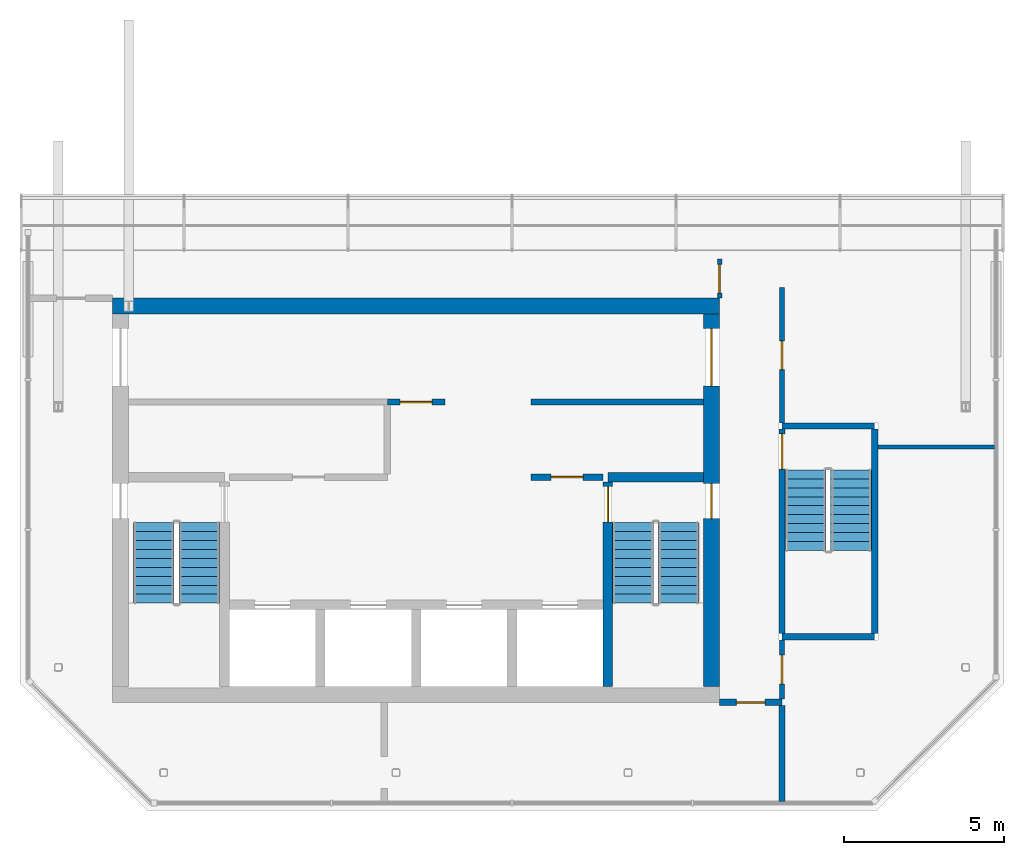
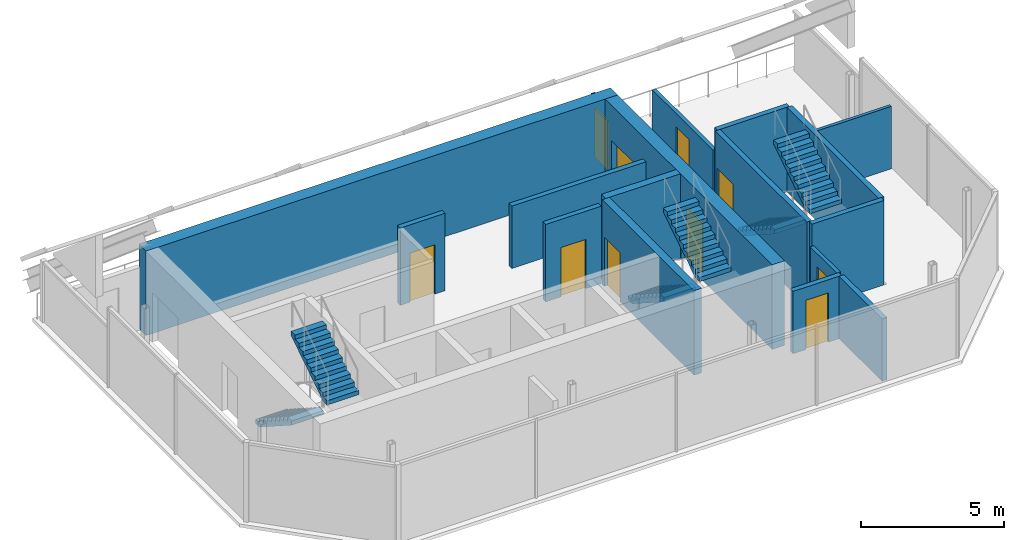
# One storey, part 3 of 4: 17 walls, 10 doors, 6 stair flights, 10 openings, 3 elements without a shape of their own.
"""IFC4 building model written with IfcOpenShell, lengths in metres."""

from ifc_helpers import new_model, si_unit, direction, frame, frame_2d, origin, place, context, subcontext, project, spatial, polyline, rectangle, outline, extrude, material, layer, layer_set, type_object, element, fill, aggregate, save


model = new_model("IFC4")

# Units and contexts
model_context = context("Model", 3, precision=1e-05, world=origin(), true_north=direction((0.0, 1.0)))
body_context = subcontext(model_context, "Body", "Model", "MODEL_VIEW")
ifc_project = project(units=[si_unit("LENGTHUNIT", "METRE"), si_unit("AREAUNIT", "SQUARE_METRE"), si_unit("VOLUMEUNIT", "CUBIC_METRE"), si_unit("PLANEANGLEUNIT", "RADIAN"), si_unit("MASSUNIT", "GRAM", prefix="KILO")], contexts=[model_context])

# Site, building, storey
site_placement = place(None, origin())
site = spatial("IfcSite", under=ifc_project, at=site_placement, CompositionType="ELEMENT")
building_placement = place(site_placement, origin())
building = spatial("IfcBuilding", under=site, at=building_placement, Name="Tskaro Facet Tower", CompositionType="ELEMENT")
storey_placement = place(building_placement, frame((0.0, 0.0, 308.10009765625)))
storey = spatial("IfcBuildingStorey", under=building, at=storey_placement, Name="L83", CompositionType="ELEMENT", Elevation=308.10009765625)

# Wall
ifc_material_1 = material(Name="Concrete C60/75", Category="concrete")
ifc_layer_1 = layer(ifc_material_1, 0.300048828125, Name="Concrete C60/75")
ifc_layer_set_1 = layer_set([ifc_layer_1], Name="Concrete C60/75")
wall_type_1 = type_object("IfcWallType", Name="CORE-SHAFT", PredefinedType="SHEAR", material=ifc_layer_set_1)
wall_1_placement = place(storey_placement, frame((6.0, -4.949951171875, 0.0), z_axis=(0.0, 0.0, 1.0), x_axis=(1.0, 0.0, 0.0)))
element("IfcWall", 1, at=wall_1_placement, inside=storey, type_object=wall_type_1, Name="Shaft wall W007", PredefinedType="SHEAR", context=body_context, shape_type="SweptSolid", body=[
    extrude(rectangle(XDim=3.0, YDim=0.300048828125, at=frame_2d((1.5, 0.0))), origin(), (0.0, 0.0, 1.0), 3.599853515625),
])

# Wall, opening, door
wall_2_placement = place(storey_placement, frame((6.0, -5.10009765625, 0.0), z_axis=(0.0, 0.0, 1.0), x_axis=(0.0, -1.0, 0.0)))
wall_2 = element("IfcWall", 2, at=wall_2_placement, inside=storey, type_object=wall_type_1, Name="Shaft wall W021", PredefinedType="SHEAR", context=body_context, shape_type="SweptSolid", body=[
    extrude(rectangle(XDim=6.39990234375, YDim=0.300048828125, at=frame_2d((3.199951171875, 0.0))), origin(), (0.0, 0.0, 1.0), 3.599853515625),
])
opening_1_placement = place(wall_2_placement, frame((0.14990234375, 0.0, 0.0)))
opening_1 = element("IfcOpeningElement", 3, at=opening_1_placement, cuts=wall_2, Name="Opening ST-2-D1", PredefinedType="OPENING", context=body_context, shape_type="SweptSolid", body=[
    extrude(rectangle(XDim=1.10009765625, YDim=2.10009765625, at=frame_2d((0.550048828125, 1.050048828125))), frame((0.0, 0.159912109375, 0.0), z_axis=(0.0, -1.0, 0.0), x_axis=(1.0, 0.0, 0.0)), (0.0, 0.0, 1.0), 0.320068359375),
])
ifc_material_2 = material(Name="Steel", Category="steel")
door_type_1 = type_object("IfcDoorType", Name="D-STAIR", OperationType="NOTDEFINED", PredefinedType="DOOR", material=ifc_material_2)
door_1_placement = place(opening_1_placement, origin())
door_1 = element("IfcDoor", 4, at=door_1_placement, inside=storey, type_object=door_type_1, Name="Stair door 2", OperationType="SINGLE_SWING_RIGHT", OverallHeight=2.10009765625, OverallWidth=1.10009765625, PredefinedType="DOOR", context=body_context, shape_type="SweptSolid", body=[
    extrude(rectangle(XDim=1.10009765625, YDim=2.10009765625, at=frame_2d((0.550048828125, 1.050048828125))), frame((0.0, 0.02490234375, 0.0), z_axis=(0.0, -1.0, 0.0), x_axis=(1.0, 0.0, 0.0)), (0.0, 0.0, 1.0), 0.050048828125),
])
fill(opening_1, door_1)

ifc_material_3 = material(Name="Concrete C20/25", Category="concrete")
ifc_layer_2 = layer(ifc_material_3, 0.199951171875, Name="Concrete C20/25")
ifc_layer_set_2 = layer_set([ifc_layer_2], Name="Concrete C20/25")
wall_type_2 = type_object("IfcWallType", Name="CORE-WALL", PredefinedType="SOLIDWALL", material=ifc_layer_set_2)
wall_3_placement = place(storey_placement, frame((3.60009765625, -4.949951171875, 0.0), z_axis=(0.0, 0.0, 1.0), x_axis=(1.0, 0.0, 0.0)))
wall_3 = element("IfcWall", 5, at=wall_3_placement, inside=storey, type_object=wall_type_2, Name="Core room wall W006", PredefinedType="SOLIDWALL", context=body_context, shape_type="SweptSolid", body=[
    extrude(rectangle(XDim=2.25, YDim=0.199951171875, at=frame_2d((1.125, 0.0))), origin(), (0.0, 0.0, 1.0), 3.2998046875),
])
opening_2_placement = place(wall_3_placement, frame((0.625, 0.0, 0.0)))
opening_2 = element("IfcOpeningElement", 6, at=opening_2_placement, cuts=wall_3, Name="Opening C83-D04", PredefinedType="OPENING", context=body_context, shape_type="SweptSolid", body=[
    extrude(rectangle(XDim=1.0, YDim=2.10009765625, at=frame_2d((0.5, 1.050048828125))), frame((0.0, 0.10986328125, 0.0), z_axis=(0.0, -1.0, 0.0), x_axis=(1.0, 0.0, 0.0)), (0.0, 0.0, 1.0), 0.219970703125),
])
ifc_material_4 = material(Name="Timber", Category="wood")
door_type_2 = type_object("IfcDoorType", Name="D-ROOM-WIDE", OperationType="NOTDEFINED", PredefinedType="DOOR", material=ifc_material_4)
door_2_placement = place(opening_2_placement, origin())
door_2 = element("IfcDoor", 7, at=door_2_placement, inside=storey, type_object=door_type_2, Name="Door C83-D04", OperationType="SINGLE_SWING_LEFT", OverallHeight=2.10009765625, OverallWidth=1.0, PredefinedType="DOOR", context=body_context, shape_type="SweptSolid", body=[
    extrude(rectangle(XDim=1.0, YDim=2.10009765625, at=frame_2d((0.5, 1.050048828125))), frame((0.0, 0.02490234375, 0.0), z_axis=(0.0, -1.0, 0.0), x_axis=(1.0, 0.0, 0.0)), (0.0, 0.0, 1.0), 0.050048828125),
])
fill(opening_2, door_2)

wall_4_placement = place(storey_placement, frame((0.89990234375, -2.60009765625, 0.0), z_axis=(0.0, 0.0, 1.0), x_axis=(-1.0, 0.0, 0.0)))
wall_4 = element("IfcWall", 8, at=wall_4_placement, inside=storey, type_object=wall_type_2, Name="Core room wall W011", PredefinedType="SOLIDWALL", context=body_context, shape_type="SweptSolid", body=[
    extrude(rectangle(XDim=1.7998046875, YDim=0.199951171875, at=frame_2d((0.89990234375, 0.0))), origin(), (0.0, 0.0, 1.0), 3.2998046875),
])
opening_3_placement = place(wall_4_placement, frame((0.39990234375, 0.0, 0.0)))
opening_3 = element("IfcOpeningElement", 9, at=opening_3_placement, cuts=wall_4, Name="Opening C83-D05", PredefinedType="OPENING", context=body_context, shape_type="SweptSolid", body=[
    extrude(rectangle(XDim=1.0, YDim=2.10009765625, at=frame_2d((0.5, 1.050048828125))), frame((0.0, 0.10986328125, 0.0), z_axis=(0.0, -1.0, 0.0), x_axis=(1.0, 0.0, 0.0)), (0.0, 0.0, 1.0), 0.219970703125),
])
door_type_3 = type_object("IfcDoorType", Name="D-LOBBY", OperationType="NOTDEFINED", PredefinedType="DOOR", material=ifc_material_2)
door_3_placement = place(opening_3_placement, origin())
door_3 = element("IfcDoor", 10, at=door_3_placement, inside=storey, type_object=door_type_3, Name="Door C83-D05", OperationType="SINGLE_SWING_RIGHT", OverallHeight=2.10009765625, OverallWidth=1.0, PredefinedType="DOOR", context=body_context, shape_type="SweptSolid", body=[
    extrude(rectangle(XDim=1.0, YDim=2.10009765625, at=frame_2d((0.5, 1.050048828125))), frame((0.0, 0.02490234375, 0.0), z_axis=(0.0, -1.0, 0.0), x_axis=(1.0, 0.0, 0.0)), (0.0, 0.0, 1.0), 0.050048828125),
])
fill(opening_3, door_3)

# Wall
ifc_material_5 = material(Name="Concrete C40/50", Category="concrete")
ifc_layer_3 = layer(ifc_material_5, 0.5, Name="Concrete C40/50")
ifc_layer_set_3 = layer_set([ifc_layer_3], Name="Concrete C40/50")
wall_type_3 = type_object("IfcWallType", Name="Core wall 500", PredefinedType="SHEAR", material=ifc_layer_set_3)
wall_5_placement = place(storey_placement, frame((-9.5, 0.39990234375, 0.0), z_axis=(0.0, 0.0, 1.0), x_axis=(1.0, 0.0, 0.0)))
element("IfcWall", 11, at=wall_5_placement, inside=storey, type_object=wall_type_3, Name="Core wall CW-Z3N", PredefinedType="SHEAR", context=body_context, shape_type="SweptSolid", body=[
    extrude(outline(polyline([(0.0, 0.0), (19.0, 0.0), (19.0, 3.599853515625), (0.0, 3.599853515625), (0.0, 0.0)])), frame((0.0, 0.25, 0.0), z_axis=(0.0, -1.0, 0.0), x_axis=(1.0, 0.0, 0.0)), (0.0, 0.0, 1.0), 0.5),
])

# Wall, openings, doors
wall_6_placement = place(storey_placement, frame((9.25, -11.5, 0.0), z_axis=(0.0, 0.0, 1.0), x_axis=(0.0, 1.0, 0.0)))
wall_6 = element("IfcWall", 12, at=wall_6_placement, inside=storey, type_object=wall_type_3, Name="Core wall CW-Z3E", PredefinedType="SHEAR", context=body_context, shape_type="SweptSolid", body=[
    extrude(outline(polyline([(0.0, 0.0), (11.64990234375, 0.0), (11.64990234375, 3.599853515625), (0.0, 3.599853515625), (0.0, 0.0)])), frame((0.0, 0.25, 0.0), z_axis=(0.0, -1.0, 0.0), x_axis=(1.0, 0.0, 0.0)), (0.0, 0.0, 1.0), 0.5),
])
opening_4_placement = place(wall_6_placement, frame((9.39990234375, 0.0, 0.0)))
opening_4 = element("IfcOpeningElement", 13, at=opening_4_placement, cuts=wall_6, Name="Opening C83-D07", PredefinedType="OPENING", context=body_context, shape_type="SweptSolid", body=[
    extrude(rectangle(XDim=1.800048828125, YDim=2.10009765625, at=frame_2d((0.89990234375, 1.050048828125))), frame((0.0, 0.260009765625, 0.0), z_axis=(0.0, -1.0, 0.0), x_axis=(1.0, 0.0, 0.0)), (0.0, 0.0, 1.0), 0.52001953125),
])
opening_5_placement = place(wall_6_placement, frame((5.25, 0.0, 0.0)))
opening_5 = element("IfcOpeningElement", 14, at=opening_5_placement, cuts=wall_6, Name="Opening ST-2-D3", PredefinedType="OPENING", context=body_context, shape_type="SweptSolid", body=[
    extrude(rectangle(XDim=1.10009765625, YDim=2.10009765625, at=frame_2d((0.550048828125, 1.050048828125))), frame((0.0, 0.260009765625, 0.0), z_axis=(0.0, -1.0, 0.0), x_axis=(1.0, 0.0, 0.0)), (0.0, 0.0, 1.0), 0.52001953125),
])
door_type_4 = type_object("IfcDoorType", Name="D-CORE-PAIR", OperationType="NOTDEFINED", PredefinedType="DOOR", material=ifc_material_2)
door_4_placement = place(opening_4_placement, origin())
door_4 = element("IfcDoor", 15, at=door_4_placement, inside=storey, type_object=door_type_4, Name="Door C83-D07", OperationType="DOUBLE_DOOR_SINGLE_SWING", OverallHeight=2.10009765625, OverallWidth=1.800048828125, PredefinedType="DOOR", context=body_context, shape_type="SweptSolid", body=[
    extrude(rectangle(XDim=1.800048828125, YDim=2.10009765625, at=frame_2d((0.89990234375, 1.050048828125))), frame((0.0, 0.02490234375, 0.0), z_axis=(0.0, -1.0, 0.0), x_axis=(1.0, 0.0, 0.0)), (0.0, 0.0, 1.0), 0.050048828125),
])
fill(opening_4, door_4)
door_5_placement = place(opening_5_placement, origin())
door_5 = element("IfcDoor", 16, at=door_5_placement, inside=storey, type_object=door_type_1, Name="Stair door 2 corridor", OperationType="SINGLE_SWING_LEFT", OverallHeight=2.10009765625, OverallWidth=1.10009765625, PredefinedType="DOOR", context=body_context, shape_type="SweptSolid", body=[
    extrude(rectangle(XDim=1.10009765625, YDim=2.10009765625, at=frame_2d((0.550048828125, 1.050048828125))), frame((0.0, 0.02490234375, 0.0), z_axis=(0.0, -1.0, 0.0), x_axis=(1.0, 0.0, 0.0)), (0.0, 0.0, 1.0), 0.050048828125),
])
fill(opening_5, door_5)

# Wall
ifc_material_6 = material(Name="Gypsum board on steel studs", Category="steel")
ifc_layer_4 = layer(ifc_material_6, 0.125, Name="Gypsum board on steel studs")
ifc_layer_set_4 = layer_set([ifc_layer_4], Name="Gypsum board on steel studs")
wall_type_4 = type_object("IfcWallType", Name="PART", PredefinedType="PARTITIONING", material=ifc_layer_set_4)
wall_7_placement = place(storey_placement, frame((14.449951171875, -4.0, 0.0), z_axis=(0.0, 0.0, 1.0), x_axis=(1.0, 0.0, 0.0)))
element("IfcWall", 17, at=wall_7_placement, inside=storey, type_object=wall_type_4, Name="Partition W008", PredefinedType="PARTITIONING", context=body_context, shape_type="SweptSolid", body=[
    extrude(rectangle(XDim=3.650146484375, YDim=0.125, at=frame_2d((1.8251953125, 0.0))), origin(), (0.0, 0.0, 1.0), 2.659912109375),
])

# Wall, opening, door
ifc_layer_5 = layer(ifc_material_6, 0.14990234375, Name="Gypsum board on steel studs")
ifc_layer_set_5 = layer_set([ifc_layer_5], Name="Gypsum board on steel studs")
wall_type_5 = type_object("IfcWallType", Name="PART-CORR", PredefinedType="PARTITIONING", material=ifc_layer_set_5)
wall_8_placement = place(storey_placement, frame((9.5, 0.64990234375, 0.0), z_axis=(0.0, 0.0, 1.0), x_axis=(0.0, 1.0, 0.0)))
wall_8 = element("IfcWall", 18, at=wall_8_placement, inside=storey, type_object=wall_type_5, Name="Corridor wall W022", PredefinedType="PARTITIONING", context=body_context, shape_type="SweptSolid", body=[
    extrude(rectangle(XDim=1.22021484375, YDim=0.14990234375, at=frame_2d((0.610107421875, 0.0))), origin(), (0.0, 0.0, 1.0), 2.659912109375),
])
opening_6_placement = place(wall_8_placement, frame((0.159912109375, 0.0, 0.0)))
opening_6 = element("IfcOpeningElement", 19, at=opening_6_placement, cuts=wall_8, Name="Opening C83-D10", PredefinedType="OPENING", context=body_context, shape_type="SweptSolid", body=[
    extrude(rectangle(XDim=0.89990234375, YDim=2.10009765625, at=frame_2d((0.449951171875, 1.050048828125))), frame((0.0, 0.0849609375, 0.0), z_axis=(0.0, -1.0, 0.0), x_axis=(1.0, 0.0, 0.0)), (0.0, 0.0, 1.0), 0.169921875),
])
door_type_5 = type_object("IfcDoorType", Name="D-RISER", OperationType="NOTDEFINED", PredefinedType="DOOR", material=ifc_material_2)
door_6_placement = place(opening_6_placement, origin())
door_6 = element("IfcDoor", 20, at=door_6_placement, inside=storey, type_object=door_type_5, Name="Door C83-D10", OperationType="SINGLE_SWING_LEFT", OverallHeight=2.10009765625, OverallWidth=0.89990234375, PredefinedType="DOOR", context=body_context, shape_type="SweptSolid", body=[
    extrude(rectangle(XDim=0.89990234375, YDim=2.10009765625, at=frame_2d((0.449951171875, 1.050048828125))), frame((0.0, 0.02490234375, 0.0), z_axis=(0.0, -1.0, 0.0), x_axis=(1.0, 0.0, 0.0)), (0.0, 0.0, 1.0), 0.050048828125),
])
fill(opening_6, door_6)

wall_9_placement = place(storey_placement, frame((11.449951171875, -10.050048828125, 0.0), z_axis=(0.0, 0.0, 1.0), x_axis=(0.0, -1.0, 0.0)))
wall_9 = element("IfcWall", 21, at=wall_9_placement, inside=storey, type_object=wall_type_5, Name="Corridor wall W024", PredefinedType="PARTITIONING", context=body_context, shape_type="SweptSolid", body=[
    extrude(rectangle(XDim=1.849853515625, YDim=0.14990234375, at=frame_2d((0.9248046875, 0.0))), origin(), (0.0, 0.0, 1.0), 2.659912109375),
])
opening_7_placement = place(wall_9_placement, frame((0.47509765625, 0.0, 0.0)))
opening_7 = element("IfcOpeningElement", 22, at=opening_7_placement, cuts=wall_9, Name="Opening C83-D02", PredefinedType="OPENING", context=body_context, shape_type="SweptSolid", body=[
    extrude(rectangle(XDim=0.89990234375, YDim=2.10009765625, at=frame_2d((0.449951171875, 1.050048828125))), frame((0.0, 0.0849609375, 0.0), z_axis=(0.0, -1.0, 0.0), x_axis=(1.0, 0.0, 0.0)), (0.0, 0.0, 1.0), 0.169921875),
])
door_7_placement = place(opening_7_placement, origin())
door_7 = element("IfcDoor", 23, at=door_7_placement, inside=storey, type_object=door_type_5, Name="Door C83-D02", OperationType="SINGLE_SWING_RIGHT", OverallHeight=2.10009765625, OverallWidth=0.89990234375, PredefinedType="DOOR", context=body_context, shape_type="SweptSolid", body=[
    extrude(rectangle(XDim=0.89990234375, YDim=2.10009765625, at=frame_2d((0.449951171875, 1.050048828125))), frame((0.0, 0.02490234375, 0.0), z_axis=(0.0, -1.0, 0.0), x_axis=(1.0, 0.0, 0.0)), (0.0, 0.0, 1.0), 0.050048828125),
])
fill(opening_7, door_7)

wall_10_placement = place(storey_placement, frame((11.449951171875, 0.97998046875, 0.0), z_axis=(0.0, 0.0, 1.0), x_axis=(0.0, -1.0, 0.0)))
wall_10 = element("IfcWall", 24, at=wall_10_placement, inside=storey, type_object=wall_type_5, Name="Corridor wall W026", PredefinedType="PARTITIONING", context=body_context, shape_type="SweptSolid", body=[
    extrude(rectangle(XDim=4.22998046875, YDim=0.14990234375, at=frame_2d((2.114990234375, 0.0))), origin(), (0.0, 0.0, 1.0), 2.659912109375),
])
opening_8_placement = place(wall_10_placement, frame((1.6650390625, 0.0, 0.0)))
opening_8 = element("IfcOpeningElement", 25, at=opening_8_placement, cuts=wall_10, Name="Opening C83-D08", PredefinedType="OPENING", context=body_context, shape_type="SweptSolid", body=[
    extrude(rectangle(XDim=0.89990234375, YDim=2.10009765625, at=frame_2d((0.449951171875, 1.050048828125))), frame((0.0, 0.0849609375, 0.0), z_axis=(0.0, -1.0, 0.0), x_axis=(1.0, 0.0, 0.0)), (0.0, 0.0, 1.0), 0.169921875),
])
door_8_placement = place(opening_8_placement, origin())
door_8 = element("IfcDoor", 26, at=door_8_placement, inside=storey, type_object=door_type_5, Name="Door C83-D08", OperationType="SINGLE_SWING_RIGHT", OverallHeight=2.10009765625, OverallWidth=0.89990234375, PredefinedType="DOOR", context=body_context, shape_type="SweptSolid", body=[
    extrude(rectangle(XDim=0.89990234375, YDim=2.10009765625, at=frame_2d((0.449951171875, 1.050048828125))), frame((0.0, 0.02490234375, 0.0), z_axis=(0.0, -1.0, 0.0), x_axis=(1.0, 0.0, 0.0)), (0.0, 0.0, 1.0), 0.050048828125),
])
fill(opening_8, door_8)

# Walls
ifc_layer_6 = layer(ifc_material_1, 0.199951171875, Name="Concrete C60/75")
ifc_layer_set_6 = layer_set([ifc_layer_6], Name="Concrete C60/75")
wall_type_6 = type_object("IfcWallType", Name="STAIR-WALL", PredefinedType="SHEAR", material=ifc_layer_set_6)
for number, where, z_axis, x_axis, name in (
    (27, (11.449951171875, -9.949951171875, 0.0), (0.0, 0.0, 1.0), (1.0, 0.0, 0.0), "Stair wall W002"),
    (28, (11.449951171875, -3.35009765625, 0.0), (0.0, 0.0, 1.0), (1.0, 0.0, 0.0), "Stair wall W009"),
):
    element("IfcWall", number, at=place(storey_placement, frame(where, z_axis=z_axis, x_axis=x_axis)), inside=storey, type_object=wall_type_6, Name=name, PredefinedType="SHEAR", context=body_context, shape_type="SweptSolid", body=[
        extrude(rectangle(XDim=2.900146484375, YDim=0.199951171875, at=frame_2d((1.4501953125, 0.0))), origin(), (0.0, 0.0, 1.0), 3.599853515625),
    ])

# Wall, opening, door
wall_11_placement = place(storey_placement, frame((11.449951171875, -3.449951171875, 0.0), z_axis=(0.0, 0.0, 1.0), x_axis=(0.0, -1.0, 0.0)))
wall_11 = element("IfcWall", 29, at=wall_11_placement, inside=storey, type_object=wall_type_6, Name="Stair wall W025", PredefinedType="SHEAR", context=body_context, shape_type="SweptSolid", body=[
    extrude(rectangle(XDim=6.400146484375, YDim=0.199951171875, at=frame_2d((3.2001953125, 0.0))), origin(), (0.0, 0.0, 1.0), 3.599853515625),
])
opening_9_placement = place(wall_11_placement, frame((0.14990234375, 0.0, 0.0)))
opening_9 = element("IfcOpeningElement", 30, at=opening_9_placement, cuts=wall_11, Name="Opening ST-4-D1", PredefinedType="OPENING", context=body_context, shape_type="SweptSolid", body=[
    extrude(rectangle(XDim=1.10009765625, YDim=2.10009765625, at=frame_2d((0.550048828125, 1.050048828125))), frame((0.0, 0.10986328125, 0.0), z_axis=(0.0, -1.0, 0.0), x_axis=(1.0, 0.0, 0.0)), (0.0, 0.0, 1.0), 0.219970703125),
])
door_9_placement = place(opening_9_placement, origin())
door_9 = element("IfcDoor", 31, at=door_9_placement, inside=storey, type_object=door_type_1, Name="Stair door 4", OperationType="SINGLE_SWING_RIGHT", OverallHeight=2.10009765625, OverallWidth=1.10009765625, PredefinedType="DOOR", context=body_context, shape_type="SweptSolid", body=[
    extrude(rectangle(XDim=1.10009765625, YDim=2.10009765625, at=frame_2d((0.550048828125, 1.050048828125))), frame((0.0, 0.02490234375, 0.0), z_axis=(0.0, -1.0, 0.0), x_axis=(1.0, 0.0, 0.0)), (0.0, 0.0, 1.0), 0.050048828125),
])
fill(opening_9, door_9)

# Wall
wall_12_placement = place(storey_placement, frame((14.35009765625, -9.85009765625, 0.0), z_axis=(0.0, 0.0, 1.0), x_axis=(0.0, 1.0, 0.0)))
element("IfcWall", 32, at=wall_12_placement, inside=storey, type_object=wall_type_6, Name="Stair wall W027", PredefinedType="SHEAR", context=body_context, shape_type="SweptSolid", body=[
    extrude(rectangle(XDim=6.400146484375, YDim=0.199951171875, at=frame_2d((3.2001953125, 0.0))), origin(), (0.0, 0.0, 1.0), 3.599853515625),
])

# Wall, opening, door
ifc_layer_7 = layer(ifc_material_3, 0.199951171875, Name="Concrete C20/25")
ifc_layer_set_7 = layer_set([ifc_layer_7], Name="Concrete C20/25")
wall_type_7 = type_object("IfcWallType", Name="WALL-RISER", PredefinedType="SOLIDWALL", material=ifc_layer_set_7)
wall_13_placement = place(storey_placement, frame((11.449951171875, -12.0, 0.0), z_axis=(0.0, 0.0, 1.0), x_axis=(-1.0, 0.0, 0.0)))
wall_13 = element("IfcWall", 33, at=wall_13_placement, inside=storey, type_object=wall_type_7, Name="Riser room wall W001", PredefinedType="SOLIDWALL", context=body_context, shape_type="SweptSolid", body=[
    extrude(rectangle(XDim=1.949951171875, YDim=0.199951171875, at=frame_2d((0.97509765625, 0.0))), origin(), (0.0, 0.0, 1.0), 2.659912109375),
])
opening_10_placement = place(wall_13_placement, frame((0.52490234375, 0.0, 0.0)))
opening_10 = element("IfcOpeningElement", 34, at=opening_10_placement, cuts=wall_13, Name="Opening C83-D01", PredefinedType="OPENING", context=body_context, shape_type="SweptSolid", body=[
    extrude(rectangle(XDim=0.89990234375, YDim=2.10009765625, at=frame_2d((0.449951171875, 1.050048828125))), frame((0.0, 0.10986328125, 0.0), z_axis=(0.0, -1.0, 0.0), x_axis=(1.0, 0.0, 0.0)), (0.0, 0.0, 1.0), 0.219970703125),
])
door_10_placement = place(opening_10_placement, origin())
door_10 = element("IfcDoor", 35, at=door_10_placement, inside=storey, type_object=door_type_5, Name="Door C83-D01", OperationType="SINGLE_SWING_RIGHT", OverallHeight=2.10009765625, OverallWidth=0.89990234375, PredefinedType="DOOR", context=body_context, shape_type="SweptSolid", body=[
    extrude(rectangle(XDim=0.89990234375, YDim=2.10009765625, at=frame_2d((0.449951171875, 1.050048828125))), frame((0.0, 0.02490234375, 0.0), z_axis=(0.0, -1.0, 0.0), x_axis=(1.0, 0.0, 0.0)), (0.0, 0.0, 1.0), 0.050048828125),
])
fill(opening_10, door_10)

# Walls
wall_14_placement = place(storey_placement, frame((3.60009765625, -2.60009765625, 0.0), z_axis=(0.0, 0.0, 1.0), x_axis=(1.0, 0.0, 0.0)))
element("IfcWall", 36, at=wall_14_placement, inside=storey, type_object=wall_type_7, Name="Riser room wall W012", PredefinedType="SOLIDWALL", context=body_context, shape_type="SweptSolid", body=[
    extrude(rectangle(XDim=5.39990234375, YDim=0.199951171875, at=frame_2d((2.699951171875, 0.0))), origin(), (0.0, 0.0, 1.0), 2.659912109375),
])
wall_15_placement = place(storey_placement, frame((11.449951171875, -15.10009765625, 0.0), z_axis=(0.0, 0.0, 1.0), x_axis=(0.0, 1.0, 0.0)))
element("IfcWall", 37, at=wall_15_placement, inside=storey, type_object=wall_type_7, Name="Riser room wall W023", PredefinedType="SOLIDWALL", context=body_context, shape_type="SweptSolid", body=[
    extrude(rectangle(XDim=3.0, YDim=0.199951171875, at=frame_2d((1.5, 0.0))), origin(), (0.0, 0.0, 1.0), 2.659912109375),
])

# Stair, stair flights
stair_type = type_object("IfcStairType", Name="ST-TWR", PredefinedType="HALF_TURN_STAIR", material=ifc_material_5)
stair_1_placement = place(storey_placement, origin())
stair_1 = element("IfcStair", 38, at=stair_1_placement, inside=storey, type_object=stair_type, Name="L83 Exit stair 1", PredefinedType="HALF_TURN_STAIR")
stair_flight_type = type_object("IfcStairFlightType", Name="SFL-RC", PredefinedType="STRAIGHT", material=ifc_material_5)
stair_flight_1_placement = place(storey_placement, frame((-8.21240234375, -6.375, 0.0), z_axis=(0.0, 0.0, 1.0), x_axis=(0.0, -1.0, 0.0)))
stair_flight_1 = element("IfcStairFlight", 39, at=stair_flight_1_placement, type_object=stair_flight_type, Name="ST-1 flight 1", NumberOfRisers=10, NumberOfTreads=9, PredefinedType="STRAIGHT", RiserHeight=0.18, TreadLength=0.28, context=body_context, shape_type="SweptSolid", body=[
    extrude(outline(polyline([(0.0, 0.0), (0.0, 0.179931640625), (0.280029296875, 0.179931640625), (0.280029296875, 0.360107421875), (0.56005859375, 0.360107421875), (0.56005859375, 0.5400390625), (0.840087890625, 0.5400390625), (0.840087890625, 0.719970703125), (1.1201171875, 0.719970703125), (1.1201171875, 0.89990234375), (1.39990234375, 0.89990234375), (1.39990234375, 1.080078125), (1.679931640625, 1.080078125), (1.679931640625, 1.260009765625), (1.9599609375, 1.260009765625), (1.9599609375, 1.43994140625), (2.239990234375, 1.43994140625), (2.239990234375, 1.6201171875), (2.52001953125, 1.6201171875), (2.52001953125, 1.800048828125), (2.52001953125, 1.44189453125), (0.277099609375, 0.0), (0.0, 0.0)])), frame((0.0, 0.637451171875, 0.0), z_axis=(0.0, -1.0, 0.0), x_axis=(1.0, 0.0, 0.0)), (0.0, 0.0, 1.0), 1.27490234375),
])
stair_flight_2_placement = place(storey_placement, frame((-6.78759765625, -8.89501953125, 1.7998046875), z_axis=(0.0, 0.0, 1.0), x_axis=(0.0, 1.0, 0.0)))
stair_flight_2 = element("IfcStairFlight", 40, at=stair_flight_2_placement, type_object=stair_flight_type, Name="ST-1 flight 2", NumberOfRisers=10, NumberOfTreads=9, PredefinedType="STRAIGHT", RiserHeight=0.18, TreadLength=0.28, context=body_context, shape_type="SweptSolid", body=[
    extrude(outline(polyline([(0.0, 0.0), (0.0, 0.179931640625), (0.280029296875, 0.179931640625), (0.280029296875, 0.360107421875), (0.56005859375, 0.360107421875), (0.56005859375, 0.5400390625), (0.840087890625, 0.5400390625), (0.840087890625, 0.719970703125), (1.1201171875, 0.719970703125), (1.1201171875, 0.89990234375), (1.39990234375, 0.89990234375), (1.39990234375, 1.080078125), (1.679931640625, 1.080078125), (1.679931640625, 1.260009765625), (1.9599609375, 1.260009765625), (1.9599609375, 1.43994140625), (2.239990234375, 1.43994140625), (2.239990234375, 1.6201171875), (2.52001953125, 1.6201171875), (2.52001953125, 1.800048828125), (2.52001953125, 1.44189453125), (0.277099609375, 0.0), (0.0, 0.0)])), frame((0.0, 0.637451171875, 0.0), z_axis=(0.0, -1.0, 0.0), x_axis=(1.0, 0.0, 0.0)), (0.0, 0.0, 1.0), 1.27490234375),
])
aggregate(stair_1, [stair_flight_1, stair_flight_2])

stair_2_placement = place(storey_placement, origin())
stair_2 = element("IfcStair", 41, at=stair_2_placement, inside=storey, type_object=stair_type, Name="L83 Exit stair 2", PredefinedType="HALF_TURN_STAIR")
stair_flight_3_placement = place(storey_placement, frame((6.78759765625, -6.375, 0.0), z_axis=(0.0, 0.0, 1.0), x_axis=(0.0, -1.0, 0.0)))
stair_flight_3 = element("IfcStairFlight", 42, at=stair_flight_3_placement, type_object=stair_flight_type, Name="ST-2 flight 1", NumberOfRisers=10, NumberOfTreads=9, PredefinedType="STRAIGHT", RiserHeight=0.18, TreadLength=0.28, context=body_context, shape_type="SweptSolid", body=[
    extrude(outline(polyline([(0.0, 0.0), (0.0, 0.179931640625), (0.280029296875, 0.179931640625), (0.280029296875, 0.360107421875), (0.56005859375, 0.360107421875), (0.56005859375, 0.5400390625), (0.840087890625, 0.5400390625), (0.840087890625, 0.719970703125), (1.1201171875, 0.719970703125), (1.1201171875, 0.89990234375), (1.39990234375, 0.89990234375), (1.39990234375, 1.080078125), (1.679931640625, 1.080078125), (1.679931640625, 1.260009765625), (1.9599609375, 1.260009765625), (1.9599609375, 1.43994140625), (2.239990234375, 1.43994140625), (2.239990234375, 1.6201171875), (2.52001953125, 1.6201171875), (2.52001953125, 1.800048828125), (2.52001953125, 1.44189453125), (0.277099609375, 0.0), (0.0, 0.0)])), frame((0.0, 0.637451171875, 0.0), z_axis=(0.0, -1.0, 0.0), x_axis=(1.0, 0.0, 0.0)), (0.0, 0.0, 1.0), 1.27490234375),
])
stair_flight_4_placement = place(storey_placement, frame((8.21240234375, -8.89501953125, 1.7998046875), z_axis=(0.0, 0.0, 1.0), x_axis=(0.0, 1.0, 0.0)))
stair_flight_4 = element("IfcStairFlight", 43, at=stair_flight_4_placement, type_object=stair_flight_type, Name="ST-2 flight 2", NumberOfRisers=10, NumberOfTreads=9, PredefinedType="STRAIGHT", RiserHeight=0.18, TreadLength=0.28, context=body_context, shape_type="SweptSolid", body=[
    extrude(outline(polyline([(0.0, 0.0), (0.0, 0.179931640625), (0.280029296875, 0.179931640625), (0.280029296875, 0.360107421875), (0.56005859375, 0.360107421875), (0.56005859375, 0.5400390625), (0.840087890625, 0.5400390625), (0.840087890625, 0.719970703125), (1.1201171875, 0.719970703125), (1.1201171875, 0.89990234375), (1.39990234375, 0.89990234375), (1.39990234375, 1.080078125), (1.679931640625, 1.080078125), (1.679931640625, 1.260009765625), (1.9599609375, 1.260009765625), (1.9599609375, 1.43994140625), (2.239990234375, 1.43994140625), (2.239990234375, 1.6201171875), (2.52001953125, 1.6201171875), (2.52001953125, 1.800048828125), (2.52001953125, 1.44189453125), (0.277099609375, 0.0), (0.0, 0.0)])), frame((0.0, 0.637451171875, 0.0), z_axis=(0.0, -1.0, 0.0), x_axis=(1.0, 0.0, 0.0)), (0.0, 0.0, 1.0), 1.27490234375),
])
aggregate(stair_2, [stair_flight_3, stair_flight_4])

stair_3_placement = place(storey_placement, origin())
stair_3 = element("IfcStair", 44, at=stair_3_placement, inside=storey, type_object=stair_type, Name="L83 Exit stair 4", PredefinedType="HALF_TURN_STAIR")
stair_flight_5_placement = place(storey_placement, frame((12.1875, -4.72509765625, 0.0), z_axis=(0.0, 0.0, 1.0), x_axis=(0.0, -1.0, 0.0)))
stair_flight_5 = element("IfcStairFlight", 45, at=stair_flight_5_placement, type_object=stair_flight_type, Name="ST-4 flight 1", NumberOfRisers=10, NumberOfTreads=9, PredefinedType="STRAIGHT", RiserHeight=0.18, TreadLength=0.28, context=body_context, shape_type="SweptSolid", body=[
    extrude(outline(polyline([(0.0, 0.0), (0.0, 0.179931640625), (0.280029296875, 0.179931640625), (0.280029296875, 0.360107421875), (0.56005859375, 0.360107421875), (0.56005859375, 0.5400390625), (0.840087890625, 0.5400390625), (0.840087890625, 0.719970703125), (1.1201171875, 0.719970703125), (1.1201171875, 0.89990234375), (1.39990234375, 0.89990234375), (1.39990234375, 1.080078125), (1.679931640625, 1.080078125), (1.679931640625, 1.260009765625), (1.9599609375, 1.260009765625), (1.9599609375, 1.43994140625), (2.239990234375, 1.43994140625), (2.239990234375, 1.6201171875), (2.52001953125, 1.6201171875), (2.52001953125, 1.800048828125), (2.52001953125, 1.44189453125), (0.277099609375, 0.0), (0.0, 0.0)])), frame((0.0, 0.637451171875, 0.0), z_axis=(0.0, -1.0, 0.0), x_axis=(1.0, 0.0, 0.0)), (0.0, 0.0, 1.0), 1.27490234375),
])
stair_flight_6_placement = place(storey_placement, frame((13.612548828125, -7.2451171875, 1.7998046875), z_axis=(0.0, 0.0, 1.0), x_axis=(0.0, 1.0, 0.0)))
stair_flight_6 = element("IfcStairFlight", 46, at=stair_flight_6_placement, type_object=stair_flight_type, Name="ST-4 flight 2", NumberOfRisers=10, NumberOfTreads=9, PredefinedType="STRAIGHT", RiserHeight=0.18, TreadLength=0.28, context=body_context, shape_type="SweptSolid", body=[
    extrude(outline(polyline([(0.0, 0.0), (0.0, 0.179931640625), (0.280029296875, 0.179931640625), (0.280029296875, 0.360107421875), (0.56005859375, 0.360107421875), (0.56005859375, 0.5400390625), (0.840087890625, 0.5400390625), (0.840087890625, 0.719970703125), (1.1201171875, 0.719970703125), (1.1201171875, 0.89990234375), (1.39990234375, 0.89990234375), (1.39990234375, 1.080078125), (1.679931640625, 1.080078125), (1.679931640625, 1.260009765625), (1.9599609375, 1.260009765625), (1.9599609375, 1.43994140625), (2.239990234375, 1.43994140625), (2.239990234375, 1.6201171875), (2.52001953125, 1.6201171875), (2.52001953125, 1.800048828125), (2.52001953125, 1.44189453125), (0.277099609375, 0.0), (0.0, 0.0)])), frame((0.0, 0.637451171875, 0.0), z_axis=(0.0, -1.0, 0.0), x_axis=(1.0, 0.0, 0.0)), (0.0, 0.0, 1.0), 1.27490234375),
])
aggregate(stair_3, [stair_flight_5, stair_flight_6])

save(model, "model.ifc")
